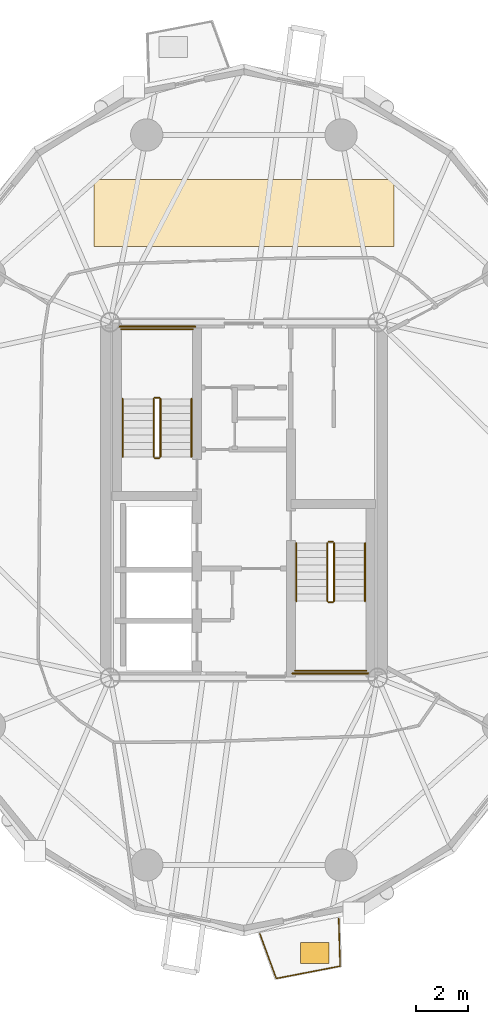
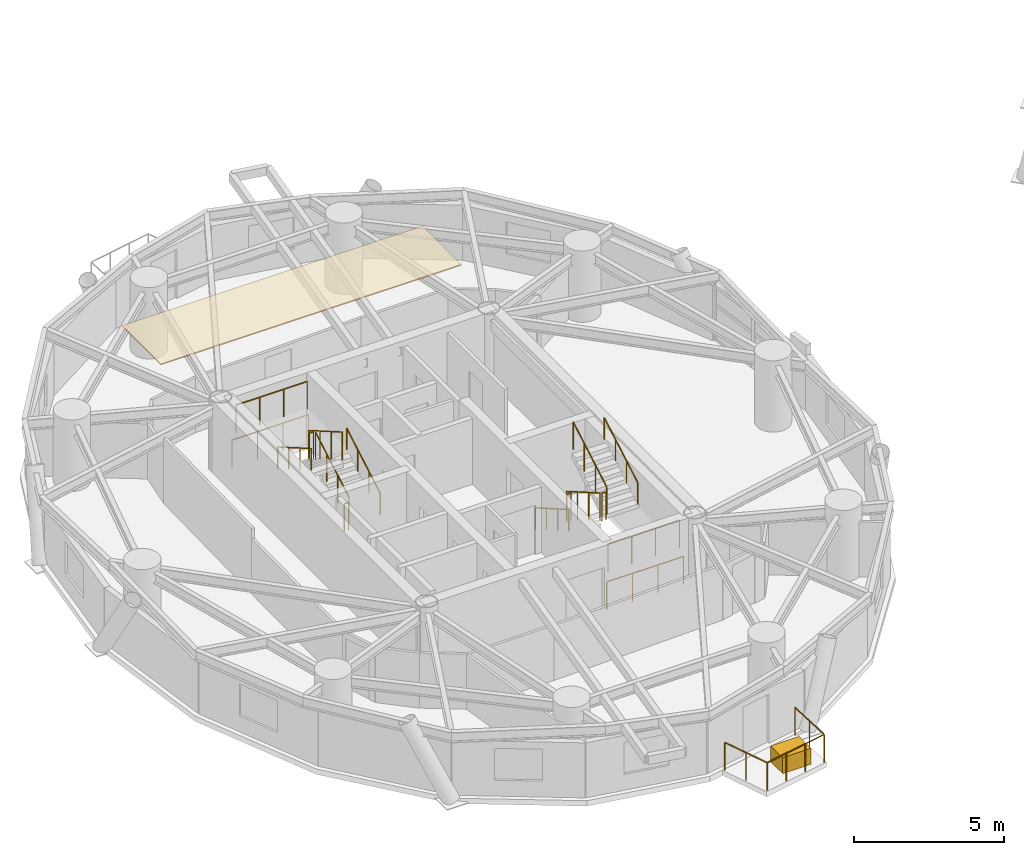
# One storey, part 15 of 17: 17 railings, 2 coverings.
"""IFC4 building model written with IfcOpenShell, lengths in metres."""

from ifc_helpers import new_model, si_unit, direction, frame, origin, origin_2d, place, context, subcontext, project, spatial, polyline, rectangle, circle, outline, extrude, source, transform, mapped, material, layer, layer_set, type_object, element, save


model = new_model("IFC4")

# Units and contexts
model_context = context("Model", 3, precision=1e-05, world=origin(), true_north=direction((0.0, 1.0)))
body_context = subcontext(model_context, "Body", "Model", "MODEL_VIEW")
ifc_project = project(units=[si_unit("LENGTHUNIT", "METRE"), si_unit("AREAUNIT", "SQUARE_METRE"), si_unit("VOLUMEUNIT", "CUBIC_METRE"), si_unit("PLANEANGLEUNIT", "RADIAN"), si_unit("MASSUNIT", "GRAM", prefix="KILO")], contexts=[model_context])

# Site, building, storey
site_placement = place(None, origin())
site = spatial("IfcSite", under=ifc_project, at=site_placement, CompositionType="ELEMENT")
building_placement = place(site_placement, origin())
building = spatial("IfcBuilding", under=site, at=building_placement, Name="Cununo Teusaquillo Station Towers", CompositionType="ELEMENT")
storey_placement = place(building_placement, frame((0.0, 0.0, 186.52001953125)))
storey = spatial("IfcBuildingStorey", under=building, at=storey_placement, Name="L59", CompositionType="ELEMENT", Elevation=186.52001953125)

# Covering
ifc_material_1 = material(Name="Mineral-fibre acoustic suspended ceiling tile", Category="finish")
ifc_layer_1 = layer(ifc_material_1, 0.044921875)
ifc_layer_set_1 = layer_set([ifc_layer_1], Name="Mineral-fibre acoustic suspended ceiling tile")
covering_type_1 = type_object("IfcCoveringType", Name="COV-CEIL-600", PredefinedType="CEILING", material=ifc_layer_set_1)
covering_1_placement = place(storey_placement, frame((0.0, 0.0, 2.64501953125)))
element("IfcCovering", 1, at=covering_1_placement, inside=storey, type_object=covering_type_1, Name="L59 Tower A Acoustic Ceiling", PredefinedType="CEILING", context=body_context, shape_type="SweptSolid", body=[
    extrude(outline(polyline([(22.300048828125, 36.89990234375), (22.300048828125, 34.300048828125), (10.699951171875, 34.300048828125), (10.699951171875, 36.89990234375), (22.300048828125, 36.89990234375)])), origin(), (0.0, 0.0, 1.0), 0.044921875),
])

# Railings
ifc_material_2 = material(Name="Anodised dark bronze aluminium EN AW-6063-T6", Category="aluminium")
railing_type_1 = type_object("IfcRailingType", Name="RL-EXT-GUARD", PredefinedType="GUARDRAIL", material=ifc_material_2)
railing_1_placement = place(storey_placement, frame((20.168701171875, 8.3125, 0.0)))
element("IfcRailing", 2, at=railing_1_placement, inside=storey, type_object=railing_type_1, Name="L59 Tower A Balcony Guardrail C15", PredefinedType="GUARDRAIL", context=body_context, shape_type="SweptSolid", body=[
    extrude(circle(Radius=0.02392578125, at=origin_2d()), frame((0.0, 0.0, 1.1259765625), z_axis=(0.030460792522, -0.999535962394, 0.0), x_axis=(0.999535962394, 0.030460792522, 0.0)), (0.0, 0.0, 1.0), 1.8515625),
    extrude(circle(Radius=0.02392578125, at=origin_2d()), frame((0.056396484375, -1.8505859375, 1.1259765625), z_axis=(-0.981842829823, -0.189696224332, 0.0), x_axis=(0.189696224332, -0.981842829823, 0.0)), (0.0, 0.0, 1.0), 2.517333984375),
    extrude(circle(Radius=0.02392578125, at=origin_2d()), frame((-2.415283203125, -2.328125, 1.1259765625), z_axis=(-0.3440608985, 0.938947335117, 0.0), x_axis=(-0.938947335117, -0.3440608985, 0.0)), (0.0, 0.0, 1.0), 1.851318359375),
    extrude(circle(Radius=0.02099609375, at=origin_2d()), origin(), (0.0, 0.0, 1.0), 1.101806640625),
    extrude(circle(Radius=0.02099609375, at=origin_2d()), frame((0.0283203125, -0.92529296875, 0.0)), (0.0, 0.0, 1.0), 1.101806640625),
    extrude(circle(Radius=0.02099609375, at=origin_2d()), frame((0.056396484375, -1.8505859375, 0.0)), (0.0, 0.0, 1.0), 1.101806640625),
    extrude(circle(Radius=0.02099609375, at=origin_2d()), frame((-0.767578125, -2.009765625, 0.0)), (0.0, 0.0, 1.0), 1.101806640625),
    extrude(circle(Radius=0.02099609375, at=origin_2d()), frame((-1.59130859375, -2.1689453125, 0.0)), (0.0, 0.0, 1.0), 1.101806640625),
    extrude(circle(Radius=0.02099609375, at=origin_2d()), frame((-2.415283203125, -2.328125, 0.0)), (0.0, 0.0, 1.0), 1.101806640625),
    extrude(circle(Radius=0.02099609375, at=origin_2d()), frame((-2.73388671875, -1.458984375, 0.0)), (0.0, 0.0, 1.0), 1.101806640625),
    extrude(circle(Radius=0.02099609375, at=origin_2d()), frame((-3.05224609375, -0.58984375, 0.0)), (0.0, 0.0, 1.0), 1.101806640625),
])
ifc_material_3 = material(Name="Steel EN 10025-2 S355J2", Category="steel")
railing_type_2 = type_object("IfcRailingType", Name="RL-INT-GUARD", PredefinedType="GUARDRAIL", material=ifc_material_3)
railing_2_placement = place(storey_placement, frame((13.27001953125, 26.169921875, 0.16162109375)))
element("IfcRailing", 3, at=railing_2_placement, inside=storey, type_object=railing_type_2, Name="L59 ST-T1-1 stair guard 1", PredefinedType="GUARDRAIL", context=body_context, shape_type="SweptSolid", body=[
    extrude(circle(Radius=0.02392578125, at=origin_2d()), frame((0.0, 0.0, 1.1259765625), z_axis=(0.0, 0.865992244559, 0.500057429065), x_axis=(-1.0, 0.0, 0.0)), (0.0, 0.0, 1.0), 2.586669921875),
    extrude(circle(Radius=0.02099609375, at=origin_2d()), origin(), (0.0, 0.0, 1.0), 1.101806640625),
    extrude(circle(Radius=0.02099609375, at=origin_2d()), frame((0.0, 0.74658203125, 0.43115234375)), (0.0, 0.0, 1.0), 1.101806640625),
    extrude(circle(Radius=0.02099609375, at=origin_2d()), frame((0.0, 1.493408203125, 0.8623046875)), (0.0, 0.0, 1.0), 1.101806640625),
    extrude(circle(Radius=0.02099609375, at=origin_2d()), frame((0.0, 2.239990234375, 1.29345703125)), (0.0, 0.0, 1.0), 1.101806640625),
])
railing_3_placement = place(storey_placement, frame((13.219970703125, 28.4599609375, 1.455078125)))
element("IfcRailing", 4, at=railing_3_placement, inside=storey, type_object=railing_type_2, Name="L59 ST-T1-1 stair guard 2", PredefinedType="GUARDRAIL", context=body_context, shape_type="SweptSolid", body=[
    extrude(circle(Radius=0.02392578125, at=origin_2d()), frame((0.0, 0.0, 1.1259765625), z_axis=(-1.0, 0.0, 0.0), x_axis=(0.0, -1.0, 0.0)), (0.0, 0.0, 1.0), 0.159912109375),
    extrude(circle(Radius=0.02099609375, at=origin_2d()), origin(), (0.0, 0.0, 1.0), 1.101806640625),
    extrude(circle(Radius=0.02099609375, at=origin_2d()), frame((-0.159912109375, 0.0, 0.0)), (0.0, 0.0, 1.0), 1.101806640625),
])
railing_4_placement = place(storey_placement, frame((14.52001953125, 31.110107421875, 1.455078125)))
element("IfcRailing", 5, at=railing_4_placement, inside=storey, type_object=railing_type_2, Name="L59 ST-T1-1 stair guard 3", PredefinedType="GUARDRAIL", context=body_context, shape_type="SweptSolid", body=[
    extrude(circle(Radius=0.02392578125, at=origin_2d()), frame((0.0, 0.0, 1.1259765625), z_axis=(-1.0, 0.0, 0.0), x_axis=(0.0, -1.0, 0.0)), (0.0, 0.0, 1.0), 2.760009765625),
    extrude(circle(Radius=0.02099609375, at=origin_2d()), origin(), (0.0, 0.0, 1.0), 1.101806640625),
    extrude(circle(Radius=0.02099609375, at=origin_2d()), frame((-0.919921875, 0.0, 0.0)), (0.0, 0.0, 1.0), 1.101806640625),
    extrude(circle(Radius=0.02099609375, at=origin_2d()), frame((-1.840087890625, 0.0, 0.0)), (0.0, 0.0, 1.0), 1.101806640625),
    extrude(circle(Radius=0.02099609375, at=origin_2d()), frame((-2.760009765625, 0.0, 0.0)), (0.0, 0.0, 1.0), 1.101806640625),
])
railing_5_placement = place(storey_placement, frame((13.010009765625, 28.409912109375, 1.61669921875)))
element("IfcRailing", 6, at=railing_5_placement, inside=storey, type_object=railing_type_2, Name="L59 ST-T1-1 stair guard 4", PredefinedType="GUARDRAIL", context=body_context, shape_type="SweptSolid", body=[
    extrude(circle(Radius=0.02392578125, at=origin_2d()), frame((0.0, 0.0, 1.1259765625), z_axis=(0.0, -0.866033117094, 0.499986639918), x_axis=(1.0, 0.0, 0.0)), (0.0, 0.0, 1.0), 2.58642578125),
    extrude(circle(Radius=0.02099609375, at=origin_2d()), origin(), (0.0, 0.0, 1.0), 1.101806640625),
    extrude(circle(Radius=0.02099609375, at=origin_2d()), frame((0.0, -0.74658203125, 0.43115234375)), (0.0, 0.0, 1.0), 1.101806640625),
    extrude(circle(Radius=0.02099609375, at=origin_2d()), frame((0.0, -1.493408203125, 0.862060546875)), (0.0, 0.0, 1.0), 1.101806640625),
    extrude(circle(Radius=0.02099609375, at=origin_2d()), frame((0.0, -2.239990234375, 1.293212890625)), (0.0, 0.0, 1.0), 1.101806640625),
])
railing_6_placement = place(storey_placement, frame((13.219970703125, 26.1201171875, 0.0)))
element("IfcRailing", 7, at=railing_6_placement, inside=storey, type_object=railing_type_2, Name="L59 ST-T1-1 stair guard 5", PredefinedType="GUARDRAIL", context=body_context, shape_type="SweptSolid", body=[
    extrude(circle(Radius=0.02392578125, at=origin_2d()), frame((0.0, 0.0, 1.1259765625), z_axis=(-1.0, 0.0, 0.0), x_axis=(0.0, -1.0, 0.0)), (0.0, 0.0, 1.0), 0.159912109375),
    extrude(circle(Radius=0.02099609375, at=origin_2d()), origin(), (0.0, 0.0, 1.0), 1.101806640625),
    extrude(circle(Radius=0.02099609375, at=origin_2d()), frame((-0.159912109375, 0.0, 0.0)), (0.0, 0.0, 1.0), 1.101806640625),
])
railing_7_placement = place(storey_placement, frame((14.6201171875, 31.2099609375, 0.0)))
element("IfcRailing", 8, at=railing_7_placement, inside=storey, type_object=railing_type_2, Name="L59 ST-T1-1 stair guard 6", PredefinedType="GUARDRAIL", context=body_context, shape_type="SweptSolid", body=[
    extrude(circle(Radius=0.02392578125, at=origin_2d()), frame((0.0, 0.0, 1.1259765625), z_axis=(-1.0, 0.0, 0.0), x_axis=(0.0, -1.0, 0.0)), (0.0, 0.0, 1.0), 2.960205078125),
    extrude(circle(Radius=0.02099609375, at=origin_2d()), origin(), (0.0, 0.0, 1.0), 1.101806640625),
    extrude(circle(Radius=0.02099609375, at=origin_2d()), frame((-0.98681640625, 0.0, 0.0)), (0.0, 0.0, 1.0), 1.101806640625),
    extrude(circle(Radius=0.02099609375, at=origin_2d()), frame((-1.973388671875, 0.0, 0.0)), (0.0, 0.0, 1.0), 1.101806640625),
    extrude(circle(Radius=0.02099609375, at=origin_2d()), frame((-2.960205078125, 0.0, 0.0)), (0.0, 0.0, 1.0), 1.101806640625),
])
railing_8_placement = place(storey_placement, frame((19.72998046875, 22.830078125, 0.16162109375)))
element("IfcRailing", 9, at=railing_8_placement, inside=storey, type_object=railing_type_2, Name="L59 ST-T1-2 stair guard 1", PredefinedType="GUARDRAIL", context=body_context, shape_type="SweptSolid", body=[
    extrude(circle(Radius=0.02392578125, at=origin_2d()), frame((0.0, 0.0, 1.1259765625), z_axis=(0.0, -0.865992244559, 0.500057429065), x_axis=(1.0, 0.0, 0.0)), (0.0, 0.0, 1.0), 2.586669921875),
    extrude(circle(Radius=0.02099609375, at=origin_2d()), origin(), (0.0, 0.0, 1.0), 1.101806640625),
    extrude(circle(Radius=0.02099609375, at=origin_2d()), frame((0.0, -0.74658203125, 0.43115234375)), (0.0, 0.0, 1.0), 1.101806640625),
    extrude(circle(Radius=0.02099609375, at=origin_2d()), frame((0.0, -1.493408203125, 0.8623046875)), (0.0, 0.0, 1.0), 1.101806640625),
    extrude(circle(Radius=0.02099609375, at=origin_2d()), frame((0.0, -2.239990234375, 1.29345703125)), (0.0, 0.0, 1.0), 1.101806640625),
])
railing_9_placement = place(storey_placement, frame((19.780029296875, 20.5400390625, 1.455078125)))
element("IfcRailing", 10, at=railing_9_placement, inside=storey, type_object=railing_type_2, Name="L59 ST-T1-2 stair guard 2", PredefinedType="GUARDRAIL", context=body_context, shape_type="SweptSolid", body=[
    extrude(circle(Radius=0.02392578125, at=origin_2d()), frame((0.0, 0.0, 1.1259765625), z_axis=(1.0, 0.0, 0.0), x_axis=(0.0, 1.0, 0.0)), (0.0, 0.0, 1.0), 0.159912109375),
    extrude(circle(Radius=0.02099609375, at=origin_2d()), origin(), (0.0, 0.0, 1.0), 1.101806640625),
    extrude(circle(Radius=0.02099609375, at=origin_2d()), frame((0.159912109375, 0.0, 0.0)), (0.0, 0.0, 1.0), 1.101806640625),
])
railing_10_placement = place(storey_placement, frame((18.47998046875, 17.889892578125, 1.455078125)))
element("IfcRailing", 11, at=railing_10_placement, inside=storey, type_object=railing_type_2, Name="L59 ST-T1-2 stair guard 3", PredefinedType="GUARDRAIL", context=body_context, shape_type="SweptSolid", body=[
    extrude(circle(Radius=0.02392578125, at=origin_2d()), frame((0.0, 0.0, 1.1259765625), z_axis=(1.0, 0.0, 0.0), x_axis=(0.0, 1.0, 0.0)), (0.0, 0.0, 1.0), 2.760009765625),
    extrude(circle(Radius=0.02099609375, at=origin_2d()), origin(), (0.0, 0.0, 1.0), 1.101806640625),
    extrude(circle(Radius=0.02099609375, at=origin_2d()), frame((0.919921875, 0.0, 0.0)), (0.0, 0.0, 1.0), 1.101806640625),
    extrude(circle(Radius=0.02099609375, at=origin_2d()), frame((1.840087890625, 0.0, 0.0)), (0.0, 0.0, 1.0), 1.101806640625),
    extrude(circle(Radius=0.02099609375, at=origin_2d()), frame((2.760009765625, 0.0, 0.0)), (0.0, 0.0, 1.0), 1.101806640625),
])
railing_11_placement = place(storey_placement, frame((19.989990234375, 20.590087890625, 1.61669921875)))
element("IfcRailing", 12, at=railing_11_placement, inside=storey, type_object=railing_type_2, Name="L59 ST-T1-2 stair guard 4", PredefinedType="GUARDRAIL", context=body_context, shape_type="SweptSolid", body=[
    extrude(circle(Radius=0.02392578125, at=origin_2d()), frame((0.0, 0.0, 1.1259765625), z_axis=(0.0, 0.866033117094, 0.499986639918), x_axis=(-1.0, 0.0, 0.0)), (0.0, 0.0, 1.0), 2.58642578125),
    extrude(circle(Radius=0.02099609375, at=origin_2d()), origin(), (0.0, 0.0, 1.0), 1.101806640625),
    extrude(circle(Radius=0.02099609375, at=origin_2d()), frame((0.0, 0.74658203125, 0.43115234375)), (0.0, 0.0, 1.0), 1.101806640625),
    extrude(circle(Radius=0.02099609375, at=origin_2d()), frame((0.0, 1.493408203125, 0.862060546875)), (0.0, 0.0, 1.0), 1.101806640625),
    extrude(circle(Radius=0.02099609375, at=origin_2d()), frame((0.0, 2.239990234375, 1.293212890625)), (0.0, 0.0, 1.0), 1.101806640625),
])
railing_12_placement = place(storey_placement, frame((19.780029296875, 22.8798828125, 0.0)))
element("IfcRailing", 13, at=railing_12_placement, inside=storey, type_object=railing_type_2, Name="L59 ST-T1-2 stair guard 5", PredefinedType="GUARDRAIL", context=body_context, shape_type="SweptSolid", body=[
    extrude(circle(Radius=0.02392578125, at=origin_2d()), frame((0.0, 0.0, 1.1259765625), z_axis=(1.0, 0.0, 0.0), x_axis=(0.0, 1.0, 0.0)), (0.0, 0.0, 1.0), 0.159912109375),
    extrude(circle(Radius=0.02099609375, at=origin_2d()), origin(), (0.0, 0.0, 1.0), 1.101806640625),
    extrude(circle(Radius=0.02099609375, at=origin_2d()), frame((0.159912109375, 0.0, 0.0)), (0.0, 0.0, 1.0), 1.101806640625),
])
railing_13_placement = place(storey_placement, frame((18.3798828125, 17.7900390625, 0.0)))
element("IfcRailing", 14, at=railing_13_placement, inside=storey, type_object=railing_type_2, Name="L59 ST-T1-2 stair guard 6", PredefinedType="GUARDRAIL", context=body_context, shape_type="SweptSolid", body=[
    extrude(circle(Radius=0.02392578125, at=origin_2d()), frame((0.0, 0.0, 1.1259765625), z_axis=(1.0, 0.0, 0.0), x_axis=(0.0, 1.0, 0.0)), (0.0, 0.0, 1.0), 2.960205078125),
    extrude(circle(Radius=0.02099609375, at=origin_2d()), origin(), (0.0, 0.0, 1.0), 1.101806640625),
    extrude(circle(Radius=0.02099609375, at=origin_2d()), frame((0.98681640625, 0.0, 0.0)), (0.0, 0.0, 1.0), 1.101806640625),
    extrude(circle(Radius=0.02099609375, at=origin_2d()), frame((1.973388671875, 0.0, 0.0)), (0.0, 0.0, 1.0), 1.101806640625),
    extrude(circle(Radius=0.02099609375, at=origin_2d()), frame((2.960205078125, 0.0, 0.0)), (0.0, 0.0, 1.0), 1.101806640625),
])
ifc_material_4 = material(Name="Steel EN 10025-2 S355J2", Category="steel")
railing_type_3 = type_object("IfcRailingType", Name="RL-INT-HRAIL", PredefinedType="HANDRAIL", material=ifc_material_4)
railing_14_placement = place(storey_placement, frame((14.469970703125, 26.169921875, 0.16162109375)))
element("IfcRailing", 15, at=railing_14_placement, inside=storey, type_object=railing_type_3, Name="L59 ST-T1-1 stair handrail 1", PredefinedType="HANDRAIL", context=body_context, shape_type="SweptSolid", body=[
    extrude(circle(Radius=0.02392578125, at=origin_2d()), frame((0.0, 0.0, 0.8759765625), z_axis=(0.0, 0.865992244559, 0.500057429065), x_axis=(-1.0, 0.0, 0.0)), (0.0, 0.0, 1.0), 2.586669921875),
    extrude(circle(Radius=0.02099609375, at=origin_2d()), origin(), (0.0, 0.0, 1.0), 0.851806640625),
    extrude(circle(Radius=0.02099609375, at=origin_2d()), frame((0.0, 0.74658203125, 0.43115234375)), (0.0, 0.0, 1.0), 0.851806640625),
    extrude(circle(Radius=0.02099609375, at=origin_2d()), frame((0.0, 1.493408203125, 0.8623046875)), (0.0, 0.0, 1.0), 0.851806640625),
    extrude(circle(Radius=0.02099609375, at=origin_2d()), frame((0.0, 2.239990234375, 1.29345703125)), (0.0, 0.0, 1.0), 0.851806640625),
])
railing_15_placement = place(storey_placement, frame((11.81005859375, 28.409912109375, 1.61669921875)))
element("IfcRailing", 16, at=railing_15_placement, inside=storey, type_object=railing_type_3, Name="L59 ST-T1-1 stair handrail 2", PredefinedType="HANDRAIL", context=body_context, shape_type="SweptSolid", body=[
    extrude(circle(Radius=0.02392578125, at=origin_2d()), frame((0.0, 0.0, 0.8759765625), z_axis=(0.0, -0.866033117094, 0.499986639918), x_axis=(1.0, 0.0, 0.0)), (0.0, 0.0, 1.0), 2.58642578125),
    extrude(circle(Radius=0.02099609375, at=origin_2d()), origin(), (0.0, 0.0, 1.0), 0.851806640625),
    extrude(circle(Radius=0.02099609375, at=origin_2d()), frame((0.0, -0.74658203125, 0.43115234375)), (0.0, 0.0, 1.0), 0.851806640625),
    extrude(circle(Radius=0.02099609375, at=origin_2d()), frame((0.0, -1.493408203125, 0.862060546875)), (0.0, 0.0, 1.0), 0.851806640625),
    extrude(circle(Radius=0.02099609375, at=origin_2d()), frame((0.0, -2.239990234375, 1.293212890625)), (0.0, 0.0, 1.0), 0.851806640625),
])
railing_16_placement = place(storey_placement, frame((18.530029296875, 22.830078125, 0.16162109375)))
element("IfcRailing", 17, at=railing_16_placement, inside=storey, type_object=railing_type_3, Name="L59 ST-T1-2 stair handrail 1", PredefinedType="HANDRAIL", context=body_context, shape_type="SweptSolid", body=[
    extrude(circle(Radius=0.02392578125, at=origin_2d()), frame((0.0, 0.0, 0.8759765625), z_axis=(0.0, -0.865992244559, 0.500057429065), x_axis=(1.0, 0.0, 0.0)), (0.0, 0.0, 1.0), 2.586669921875),
    extrude(circle(Radius=0.02099609375, at=origin_2d()), origin(), (0.0, 0.0, 1.0), 0.851806640625),
    extrude(circle(Radius=0.02099609375, at=origin_2d()), frame((0.0, -0.74658203125, 0.43115234375)), (0.0, 0.0, 1.0), 0.851806640625),
    extrude(circle(Radius=0.02099609375, at=origin_2d()), frame((0.0, -1.493408203125, 0.8623046875)), (0.0, 0.0, 1.0), 0.851806640625),
    extrude(circle(Radius=0.02099609375, at=origin_2d()), frame((0.0, -2.239990234375, 1.29345703125)), (0.0, 0.0, 1.0), 0.851806640625),
])
railing_17_placement = place(storey_placement, frame((21.18994140625, 20.590087890625, 1.61669921875)))
element("IfcRailing", 18, at=railing_17_placement, inside=storey, type_object=railing_type_3, Name="L59 ST-T1-2 stair handrail 2", PredefinedType="HANDRAIL", context=body_context, shape_type="SweptSolid", body=[
    extrude(circle(Radius=0.02392578125, at=origin_2d()), frame((0.0, 0.0, 0.8759765625), z_axis=(0.0, 0.866033117094, 0.499986639918), x_axis=(-1.0, 0.0, 0.0)), (0.0, 0.0, 1.0), 2.58642578125),
    extrude(circle(Radius=0.02099609375, at=origin_2d()), origin(), (0.0, 0.0, 1.0), 0.851806640625),
    extrude(circle(Radius=0.02099609375, at=origin_2d()), frame((0.0, 0.74658203125, 0.43115234375)), (0.0, 0.0, 1.0), 0.851806640625),
    extrude(circle(Radius=0.02099609375, at=origin_2d()), frame((0.0, 1.493408203125, 0.862060546875)), (0.0, 0.0, 1.0), 0.851806640625),
    extrude(circle(Radius=0.02099609375, at=origin_2d()), frame((0.0, 2.239990234375, 1.293212890625)), (0.0, 0.0, 1.0), 0.851806640625),
])

# Covering
ifc_material_5 = material(Name="Architectural GRC planter shell and engineered root-zone substrate", Category="concrete")
ifc_layer_2 = layer(ifc_material_5, 0.64990234375)
ifc_layer_set_2 = layer_set([ifc_layer_2], Name="Architectural GRC planter shell and engineered root-zone substrate")
covering_type_2 = type_object("IfcCoveringType", Name="COV-TREE-PLANTER", PredefinedType="CLADDING", material=ifc_layer_set_2)
shared_shape = source(origin(), body_context, "Body", "SweptSolid", [
    extrude(rectangle(XDim=1.10009765625, YDim=0.800048828125, at=origin_2d()), origin(), (0.0, 0.0, 1.0), 0.64990234375),
])
covering_2_placement = place(storey_placement, frame((19.237060546875, 6.97021484375, 0.0), z_axis=(0.0, 0.0, 1.0), x_axis=(1.0, 0.0, 0.0)))
element("IfcCovering", 19, at=covering_2_placement, inside=storey, type_object=covering_type_2, Name="L59 Tower A Balcony Tree PLANTER C15", PredefinedType="CLADDING", context=body_context, shape_type="MappedRepresentation", body=[
    mapped(shared_shape, transform((0.0, 0.0, 0.0), x_axis=(1.0, 0.0, 0.0), y_axis=(0.0, 1.0, 0.0), z_axis=(0.0, 0.0, 1.0), scale=1.0)),
])

save(model, "model.ifc")
